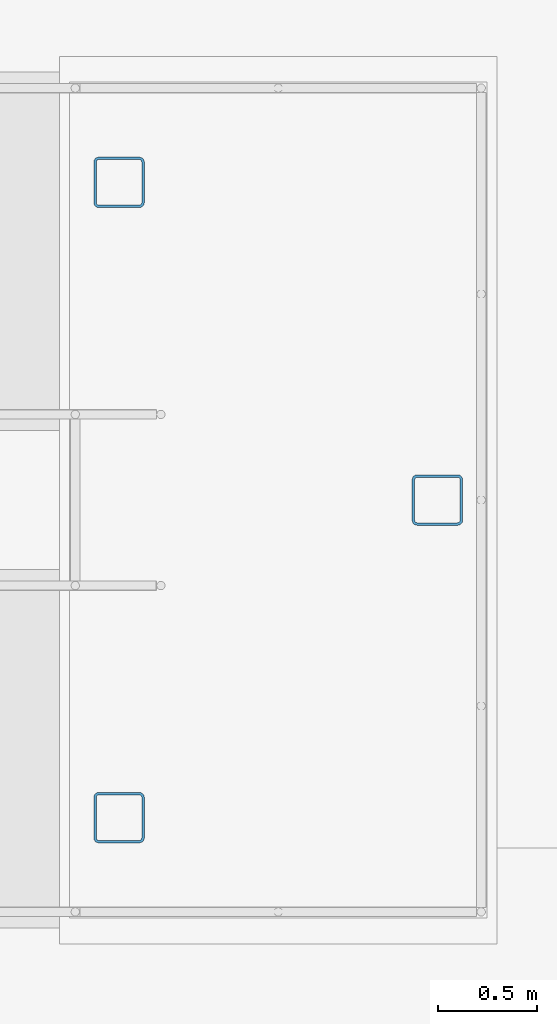
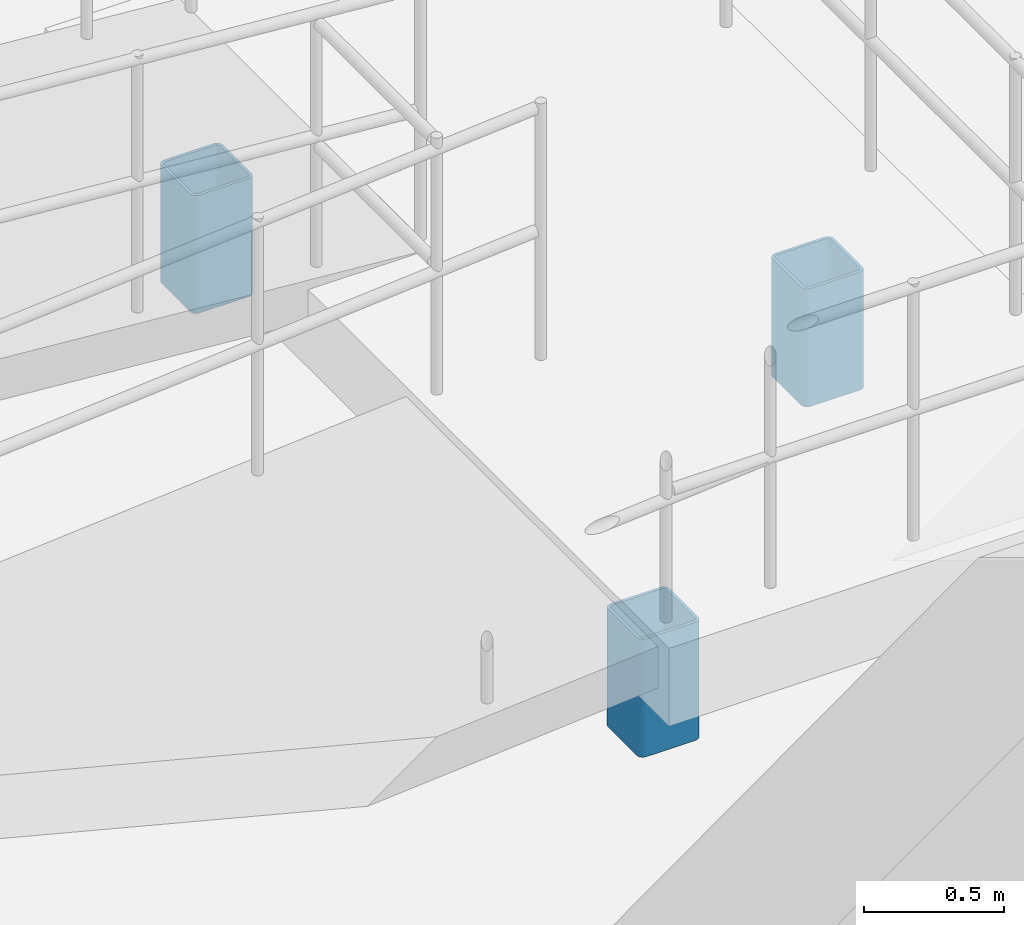
# One storey, part 33 of 67: 3 columns.
"""IFC4 building model written with IfcOpenShell, lengths in metres."""

from ifc_helpers import new_model, si_unit, direction, frame, origin, origin_2d, place, context, subcontext, project, spatial, hollow_rectangle, extrude, material, material_profile, profile_set, type_object, element, save


model = new_model("IFC4")

# Units and contexts
model_context = context("Model", 3, precision=1e-05, world=origin(), true_north=direction((0.0, 1.0)))
body_context = subcontext(model_context, "Body", "Model", "MODEL_VIEW")
ifc_project = project(units=[si_unit("LENGTHUNIT", "METRE"), si_unit("AREAUNIT", "SQUARE_METRE"), si_unit("VOLUMEUNIT", "CUBIC_METRE"), si_unit("PLANEANGLEUNIT", "RADIAN"), si_unit("MASSUNIT", "GRAM", prefix="KILO")], contexts=[model_context])

# Site, building, storey
site_placement = place(None, origin())
site = spatial("IfcSite", under=ifc_project, at=site_placement, CompositionType="ELEMENT")
building_placement = place(site_placement, origin())
building = spatial("IfcBuilding", under=site, at=building_placement, Name="Vaudrelin Polytechnic", CompositionType="ELEMENT")
storey_placement = place(building_placement, frame((0.0, 0.0, -5.10009765625)))
storey = spatial("IfcBuildingStorey", under=building, at=storey_placement, Name="B1", CompositionType="ELEMENT", Elevation=-5.10009765625)

# Columns
ifc_material = material(Name="Steel CSA G40.21 350W", Category="steel")
ifc_material_profile = material_profile(ifc_material, hollow_rectangle(XDim=0.25390625, YDim=0.25390625, WallThickness=0.0126953125, InnerFilletRadius=0.0126953125, OuterFilletRadius=0.025390625, at=origin_2d()), Name="HSS254x254x12.7")
ifc_profile_set = profile_set([ifc_material_profile], Name="Steel CSA G40.21 350W")
column_type = type_object("IfcColumnType", Name="COL-C-HSS254", PredefinedType="COLUMN", material=ifc_profile_set)
for number, where, z_axis, x_axis, name in (
    (1, (14.64990234375, 1.053955078125, 0.0), (0.0, 0.0, 1.0), (1.0, 0.0, 0.0), "Forecourt ramp support pier 1.1"),
    (2, (16.25, 2.64990234375, 0.0), (0.0, 0.0, 1.0), (1.0, 0.0, 0.0), "Forecourt ramp support pier 1.2"),
    (3, (14.64990234375, 4.24609375, 0.0), (0.0, 0.0, 1.0), (1.0, 0.0, 0.0), "Forecourt ramp support pier 1.3"),
):
    element("IfcColumn", number, at=place(storey_placement, frame(where, z_axis=z_axis, x_axis=x_axis)), inside=storey, type_object=column_type, Name=name, PredefinedType="COLUMN", context=body_context, shape_type="SweptSolid", body=[
        extrude(hollow_rectangle(XDim=0.25390625, YDim=0.25390625, WallThickness=0.0126953125, InnerFilletRadius=0.0126953125, OuterFilletRadius=0.025390625, at=origin_2d()), origin(), (0.0, 0.0, 1.0), 0.51513671875),
    ])

save(model, "model.ifc")
